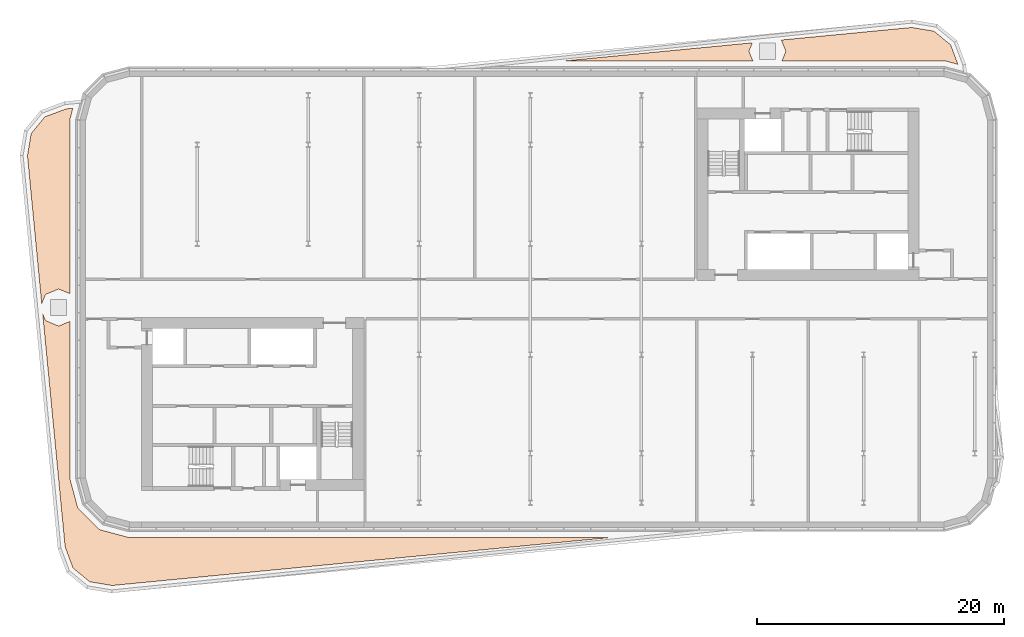
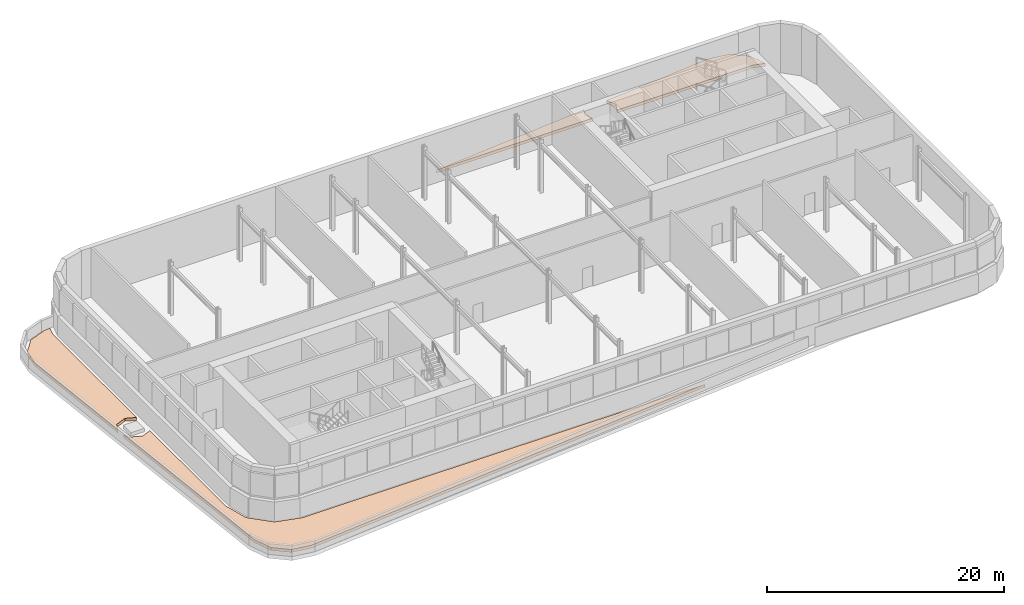
# One storey, part 16 of 16: 4 geographic elements.
"""IFC4 building model written with IfcOpenShell, lengths in metres."""

from ifc_helpers import new_model, si_unit, direction, frame, origin, place, context, subcontext, project, spatial, polyline, outline, extrude, element, save


model = new_model("IFC4")

# Units and contexts
model_context = context("Model", 3, precision=1e-05, world=origin(), true_north=direction((0.0, 1.0)))
body_context = subcontext(model_context, "Body", "Model", "MODEL_VIEW")
ifc_project = project(units=[si_unit("LENGTHUNIT", "METRE"), si_unit("AREAUNIT", "SQUARE_METRE"), si_unit("VOLUMEUNIT", "CUBIC_METRE"), si_unit("PLANEANGLEUNIT", "RADIAN"), si_unit("MASSUNIT", "GRAM", prefix="KILO")], contexts=[model_context])

# Site, building, storey
site_placement = place(None, origin())
site = spatial("IfcSite", under=ifc_project, at=site_placement, CompositionType="ELEMENT")
building_placement = place(site_placement, origin())
building = spatial("IfcBuilding", under=site, at=building_placement, Name="Kajstack Hotel Tower", CompositionType="ELEMENT")
storey_placement = place(building_placement, frame((0.0, 0.0, 308.10009765625)))
storey = spatial("IfcBuildingStorey", under=building, at=storey_placement, Name="L78", CompositionType="ELEMENT", Elevation=308.10009765625)

# Geographic elements
geographic_element_1_placement = place(storey_placement, origin())
element("IfcGeographicElement", 1, at=geographic_element_1_placement, inside=storey, Name="Green roof L78-01-01", ObjectType="PLANTING", PredefinedType="USERDEFINED", context=body_context, shape_type="SweptSolid", body=[
    extrude(outline(polyline([(-33.903076171875, -23.209716796875), (6.669677734375, -19.302978515625), (6.669677734375, -19.300048828125), (-32.605224609375, -19.300048828125), (-34.9140625, -18.681396484375), (-36.681396484375, -16.9140625), (-37.300048828125, -14.605224609375), (-37.300048828125, -1.801025390625), (-38.226318359375, -2.1845703125), (-39.286865234375, -1.745361328125), (-39.517578125, -1.1884765625), (-37.699462890625, -20.080322265625), (-37.058349609375, -21.795166015625), (-35.708740234375, -22.90771484375), (-33.903076171875, -23.209716796875)])), origin(), (0.0, 0.0, 1.0), 0.2998046875),
])
geographic_element_2_placement = place(storey_placement, origin())
element("IfcGeographicElement", 2, at=geographic_element_2_placement, inside=storey, Name="Green roof L78-01-02", ObjectType="PLANTING", PredefinedType="USERDEFINED", context=body_context, shape_type="SweptSolid", body=[
    extrude(outline(polyline([(-39.59716796875, -0.372802734375), (-39.286865234375, 0.3759765625), (-38.226318359375, 0.8154296875), (-37.300048828125, 0.431640625), (-37.300048828125, 14.605224609375), (-37.06982421875, 15.464599609375), (-37.6220703125, 15.41162109375), (-39.336669921875, 14.7705078125), (-40.44921875, 13.4208984375), (-40.75146484375, 11.615234375), (-39.59716796875, -0.372802734375)])), origin(), (0.0, 0.0, 1.0), 0.2998046875),
])
geographic_element_3_placement = place(storey_placement, origin())
element("IfcGeographicElement", 3, at=geographic_element_3_placement, inside=storey, Name="Green roof L78-02-01", ObjectType="PLANTING", PredefinedType="USERDEFINED", context=body_context, shape_type="SweptSolid", body=[
    extrude(outline(polyline([(32.708740234375, 21.707763671875), (30.903076171875, 22.009765625), (20.328369140625, 20.991455078125), (20.70556640625, 20.081298828125), (20.3818359375, 19.300048828125), (33.605224609375, 19.300048828125), (34.64697265625, 19.02099609375), (34.058349609375, 20.594970703125), (32.708740234375, 21.707763671875)])), origin(), (0.0, 0.0, 1.0), 0.2998046875),
])
geographic_element_4_placement = place(storey_placement, origin())
element("IfcGeographicElement", 4, at=geographic_element_4_placement, inside=storey, Name="Green roof L78-02-02", ObjectType="PLANTING", PredefinedType="USERDEFINED", context=body_context, shape_type="SweptSolid", body=[
    extrude(outline(polyline([(18.029052734375, 19.300048828125), (17.70556640625, 20.081298828125), (17.9892578125, 20.766357421875), (2.792724609375, 19.302978515625), (2.792724609375, 19.300048828125), (18.029052734375, 19.300048828125)])), origin(), (0.0, 0.0, 1.0), 0.2998046875),
])

save(model, "model.ifc")
